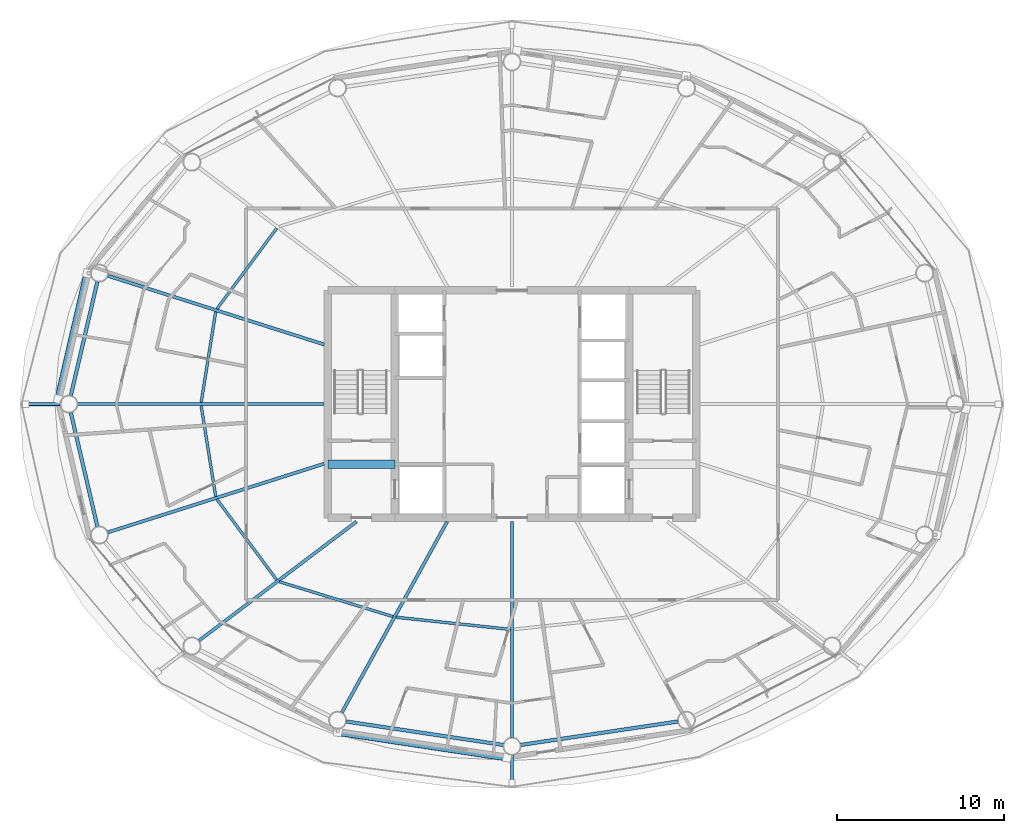
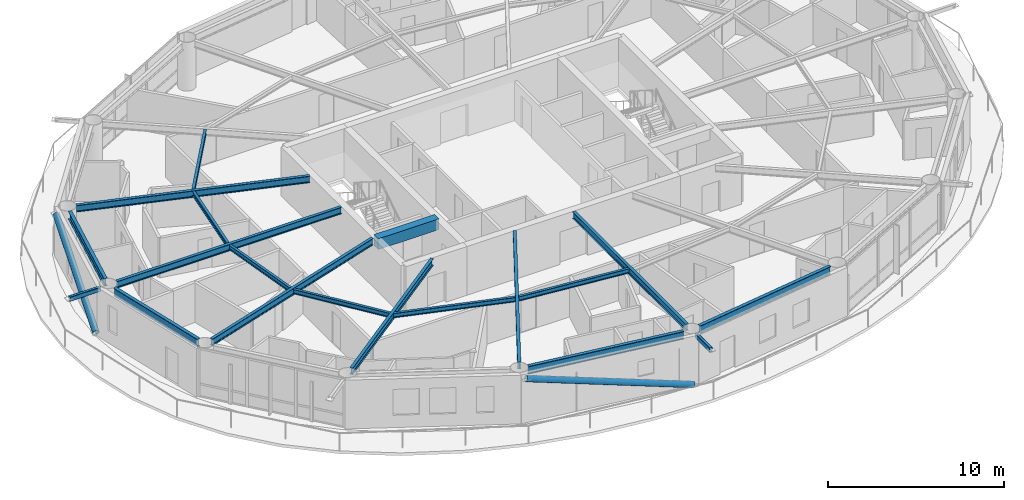
# One storey, part 4 of 29: 17 beams, 4 members.
"""IFC4 building model written with IfcOpenShell, lengths in metres."""

from ifc_helpers import new_model, si_unit, direction, frame, origin, origin_2d, place, context, subcontext, project, spatial, rectangle, hollow_rectangle, hollow_circle, i_section, extrude, material, material_profile, profile_set, type_object, element, save


model = new_model("IFC4")

# Units and contexts
model_context = context("Model", 3, precision=1e-05, world=origin(), true_north=direction((0.0, 1.0)))
body_context = subcontext(model_context, "Body", "Model", "MODEL_VIEW")
ifc_project = project(units=[si_unit("LENGTHUNIT", "METRE"), si_unit("AREAUNIT", "SQUARE_METRE"), si_unit("VOLUMEUNIT", "CUBIC_METRE"), si_unit("PLANEANGLEUNIT", "RADIAN"), si_unit("MASSUNIT", "GRAM", prefix="KILO")], contexts=[model_context])

# Site, building, storey
site_placement = place(None, origin())
site = spatial("IfcSite", under=ifc_project, at=site_placement, CompositionType="ELEMENT")
building_placement = place(site_placement, origin())
building = spatial("IfcBuilding", under=site, at=building_placement, Name="Sarneth Arch Tower", CompositionType="ELEMENT")
storey_placement = place(building_placement, frame((0.0, 0.0, 165.0)))
storey = spatial("IfcBuildingStorey", under=building, at=storey_placement, Name="L41", CompositionType="ELEMENT", Elevation=165.0)

# Beams
ifc_material_1 = material(Name="Steel S355", Category="steel")
ifc_material_profile_1 = material_profile(ifc_material_1, i_section(OverallWidth=0.1669921875, OverallDepth=0.31689453125, WebThickness=0.007568359375, FlangeThickness=0.01318359375, FilletRadius=0.012939453125, at=origin_2d()), Name="W310x52")
ifc_profile_set_1 = profile_set([ifc_material_profile_1], Name="Steel S355")
beam_type_1 = type_object("IfcBeamType", Name="BM-JOIST-310B", PredefinedType="JOIST", material=ifc_profile_set_1)
beam_1_placement = place(storey_placement, frame((33.937255859375, 52.5068359375, 3.221435546875), z_axis=(-0.595933334016, -0.803033910497, 0.0), x_axis=(0.803033910497, -0.595933334016, 0.0)))
element("IfcBeam", 1, at=beam_1_placement, inside=storey, type_object=beam_type_1, Name="L41 Secondary floor joist 07", PredefinedType="JOIST", context=body_context, shape_type="SweptSolid", body=[
    extrude(i_section(OverallWidth=0.1669921875, OverallDepth=0.31689453125, WebThickness=0.007568359375, FlangeThickness=0.01318359375, FilletRadius=0.012939453125, at=origin_2d()), origin(), (0.0, 0.0, 1.0), 5.99560546875),
])
for number, where, z_axis, x_axis, name in (
    (2, (30.291259765625, 47.519287109375, 3.221435546875), (-0.158262632389, -0.987397052451, 0.0), (0.987397052451, -0.158262632389, 0.0), "L41 Secondary floor joist 08"),
    (3, (29.421875, 41.90478515625, 3.221435546875), (0.158262632389, -0.987397052451, 0.0), (0.987397052451, 0.158262632389, 0.0), "L41 Secondary floor joist 09"),
):
    element("IfcBeam", number, at=place(storey_placement, frame(where, z_axis=z_axis, x_axis=x_axis)), inside=storey, type_object=beam_type_1, Name=name, PredefinedType="JOIST", context=body_context, shape_type="SweptSolid", body=[
        extrude(i_section(OverallWidth=0.1669921875, OverallDepth=0.31689453125, WebThickness=0.007568359375, FlangeThickness=0.01318359375, FilletRadius=0.012939453125, at=origin_2d()), origin(), (0.0, 0.0, 1.0), 5.493408203125),
    ])
beam_2_placement = place(storey_placement, frame((30.3642578125, 36.307861328125, 3.221435546875), z_axis=(0.595933334016, -0.803033910497, 0.0), x_axis=(0.803033910497, 0.595933334016, 0.0)))
element("IfcBeam", 4, at=beam_2_placement, inside=storey, type_object=beam_type_1, Name="L41 Secondary floor joist 10", PredefinedType="JOIST", context=body_context, shape_type="SweptSolid", body=[
    extrude(i_section(OverallWidth=0.1669921875, OverallDepth=0.31689453125, WebThickness=0.007568359375, FlangeThickness=0.01318359375, FilletRadius=0.012939453125, at=origin_2d()), origin(), (0.0, 0.0, 1.0), 5.99560546875),
])
beam_3_placement = place(storey_placement, frame((34.087158203125, 31.38720703125, 3.221435546875), z_axis=(0.955929549608, -0.293596144707, 0.0), x_axis=(0.293596144707, 0.955929549608, 0.0)))
element("IfcBeam", 5, at=beam_3_placement, inside=storey, type_object=beam_type_1, Name="L41 Secondary floor joist 11", PredefinedType="JOIST", context=body_context, shape_type="SweptSolid", body=[
    extrude(i_section(OverallWidth=0.1669921875, OverallDepth=0.31689453125, WebThickness=0.007568359375, FlangeThickness=0.01318359375, FilletRadius=0.012939453125, at=origin_2d()), origin(), (0.0, 0.0, 1.0), 7.1123046875),
])
beam_4_placement = place(storey_placement, frame((41.07421875, 29.260498046875, 3.221435546875), z_axis=(0.994407831942, -0.105608066799, 0.0), x_axis=(0.105608066799, 0.994407831942, 0.0)))
element("IfcBeam", 6, at=beam_4_placement, inside=storey, type_object=beam_type_1, Name="L41 Secondary floor joist 12", PredefinedType="JOIST", context=body_context, shape_type="SweptSolid", body=[
    extrude(i_section(OverallWidth=0.1669921875, OverallDepth=0.31689453125, WebThickness=0.007568359375, FlangeThickness=0.01318359375, FilletRadius=0.012939453125, at=origin_2d()), origin(), (0.0, 0.0, 1.0), 6.8681640625),
])
ifc_material_2 = material(Name="Concrete C50/60", Category="concrete")
ifc_material_profile_2 = material_profile(ifc_material_2, rectangle(XDim=0.5, YDim=0.75, at=origin_2d()), Name="RC-500x750")
ifc_profile_set_2 = profile_set([ifc_material_profile_2], Name="Concrete C50/60")
beam_type_2 = type_object("IfcBeamType", Name="BM-LINTEL-RC", PredefinedType="LINTEL", material=ifc_profile_set_2)
beam_5_placement = place(storey_placement, frame((37.0, 38.39990234375, 3.0048828125), z_axis=(1.0, 0.0, 0.0), x_axis=(0.0, 1.0, 0.0)))
element("IfcBeam", 7, at=beam_5_placement, inside=storey, type_object=beam_type_2, Name="L41 Core coupling lintel W", PredefinedType="LINTEL", context=body_context, shape_type="SweptSolid", body=[
    extrude(rectangle(XDim=0.5, YDim=0.75, at=origin_2d()), origin(), (0.0, 0.0, 1.0), 4.0),
])
ifc_material_3 = material(Name="Steel S355", Category="steel")
ifc_material_profile_3 = material_profile(ifc_material_3, i_section(OverallWidth=0.193115234375, OverallDepth=0.466064453125, WebThickness=0.011474609375, FlangeThickness=0.01904296875, FilletRadius=0.01806640625, at=origin_2d()), Name="W460x97")
ifc_profile_set_3 = profile_set([ifc_material_profile_3], Name="Steel S355")
beam_type_3 = type_object("IfcBeamType", Name="BM-RAD-460C", PredefinedType="BEAM", material=ifc_profile_set_3)
beam_6_placement = place(storey_placement, frame((36.77490234375, 45.56201171875, 3.14697265625), z_axis=(-0.953163620049, 0.302455142815, 0.0), x_axis=(-0.302455142815, -0.953163620049, 0.0)))
element("IfcBeam", 8, at=beam_6_placement, inside=storey, type_object=beam_type_3, Name="L41 Radial floor girder 08", PredefinedType="BEAM", context=body_context, shape_type="SweptSolid", body=[
    extrude(i_section(OverallWidth=0.193115234375, OverallDepth=0.466064453125, WebThickness=0.011474609375, FlangeThickness=0.01904296875, FilletRadius=0.01806640625, at=origin_2d()), origin(), (0.0, 0.0, 1.0), 13.572265625),
])
beam_7_placement = place(storey_placement, frame((36.77490234375, 42.0, 3.14697265625), z_axis=(-1.0, 0.0, 0.0), x_axis=(0.0, -1.0, 0.0)))
element("IfcBeam", 9, at=beam_7_placement, inside=storey, type_object=beam_type_3, Name="L41 Radial floor girder 09", PredefinedType="BEAM", context=body_context, shape_type="SweptSolid", body=[
    extrude(i_section(OverallWidth=0.193115234375, OverallDepth=0.466064453125, WebThickness=0.011474609375, FlangeThickness=0.01904296875, FilletRadius=0.01806640625, at=origin_2d()), origin(), (0.0, 0.0, 1.0), 14.73681640625),
])
beam_8_placement = place(storey_placement, frame((36.77490234375, 38.43798828125, 3.14697265625), z_axis=(-0.953163620049, -0.302455142815, 0.0), x_axis=(0.302455142815, -0.953163620049, 0.0)))
element("IfcBeam", 10, at=beam_8_placement, inside=storey, type_object=beam_type_3, Name="L41 Radial floor girder 10", PredefinedType="BEAM", context=body_context, shape_type="SweptSolid", body=[
    extrude(i_section(OverallWidth=0.193115234375, OverallDepth=0.466064453125, WebThickness=0.011474609375, FlangeThickness=0.01904296875, FilletRadius=0.01806640625, at=origin_2d()), origin(), (0.0, 0.0, 1.0), 13.572265625),
])
beam_9_placement = place(storey_placement, frame((38.70458984375, 34.97509765625, 3.14697265625), z_axis=(-0.797786205076, -0.602940437349, 0.0), x_axis=(0.602940437349, -0.797786205076, 0.0)))
element("IfcBeam", 11, at=beam_9_placement, inside=storey, type_object=beam_type_3, Name="L41 Radial floor girder 11", PredefinedType="BEAM", context=body_context, shape_type="SweptSolid", body=[
    extrude(i_section(OverallWidth=0.193115234375, OverallDepth=0.466064453125, WebThickness=0.011474609375, FlangeThickness=0.01904296875, FilletRadius=0.01806640625, at=origin_2d()), origin(), (0.0, 0.0, 1.0), 11.806884765625),
])
beam_10_placement = place(storey_placement, frame((44.125, 34.97509765625, 3.14697265625), z_axis=(-0.483004525121, -0.87561785541, 0.0), x_axis=(0.87561785541, -0.483004525121, 0.0)))
element("IfcBeam", 12, at=beam_10_placement, inside=storey, type_object=beam_type_3, Name="L41 Radial floor girder 12", PredefinedType="BEAM", context=body_context, shape_type="SweptSolid", body=[
    extrude(i_section(OverallWidth=0.193115234375, OverallDepth=0.466064453125, WebThickness=0.011474609375, FlangeThickness=0.01904296875, FilletRadius=0.01806640625, at=origin_2d()), origin(), (0.0, 0.0, 1.0), 13.029296875),
])
beam_11_placement = place(storey_placement, frame((48.0, 34.97509765625, 3.14697265625), z_axis=(0.0, -1.0, 0.0), x_axis=(1.0, 0.0, 0.0)))
element("IfcBeam", 13, at=beam_11_placement, inside=storey, type_object=beam_type_3, Name="L41 Radial floor girder 13", PredefinedType="BEAM", context=body_context, shape_type="SweptSolid", body=[
    extrude(i_section(OverallWidth=0.193115234375, OverallDepth=0.466064453125, WebThickness=0.011474609375, FlangeThickness=0.01904296875, FilletRadius=0.01806640625, at=origin_2d()), origin(), (0.0, 0.0, 1.0), 12.900146484375),
])
ifc_material_4 = material(Name="Steel S355", Category="steel")
ifc_material_profile_4 = material_profile(ifc_material_4, i_section(OverallWidth=0.214111328125, OverallDepth=0.549072265625, WebThickness=0.0146484375, FlangeThickness=0.023681640625, FilletRadius=0.01806640625, at=origin_2d()), Name="W530x138")
ifc_profile_set_4 = profile_set([ifc_material_profile_4], Name="Steel S355")
beam_type_4 = type_object("IfcBeamType", Name="BM-RAD-530A", PredefinedType="BEAM", material=ifc_profile_set_4)
for number, where, z_axis, x_axis, name in (
    (14, (23.21875, 49.314697265625, 3.10546875), (-0.22708709918, -0.973874452579, 0.0), (0.973874452579, -0.22708709918, 0.0), "L41 Perimeter spandrel beam 08"),
    (15, (21.63232421875, 41.48876953125, 3.10546875), (0.22708709918, -0.973874452579, 0.0), (0.973874452579, 0.22708709918, 0.0), "L41 Perimeter spandrel beam 09"),
):
    element("IfcBeam", number, at=place(storey_placement, frame(where, z_axis=z_axis, x_axis=x_axis)), inside=storey, type_object=beam_type_4, Name=name, PredefinedType="BEAM", context=body_context, shape_type="SweptSolid", body=[
        extrude(i_section(OverallWidth=0.214111328125, OverallDepth=0.549072265625, WebThickness=0.0146484375, FlangeThickness=0.023681640625, FilletRadius=0.01806640625, at=origin_2d()), origin(), (0.0, 0.0, 1.0), 6.986083984375),
    ])
for number, where, z_axis, x_axis, name in (
    (16, (38.097412109375, 23.029052734375, 3.10546875), (0.989027145133, -0.14773390332, 0.0), (0.14773390332, 0.989027145133, 0.0), "L41 Perimeter spandrel beam 12"),
    (17, (48.519287109375, 21.62744140625, 3.10546875), (0.989027145133, 0.14773390332, 0.0), (-0.14773390332, 0.989027145133, 0.0), "L41 Perimeter spandrel beam 13"),
):
    element("IfcBeam", number, at=place(storey_placement, frame(where, z_axis=z_axis, x_axis=x_axis)), inside=storey, type_object=beam_type_4, Name=name, PredefinedType="BEAM", context=body_context, shape_type="SweptSolid", body=[
        extrude(i_section(OverallWidth=0.214111328125, OverallDepth=0.549072265625, WebThickness=0.0146484375, FlangeThickness=0.023681640625, FilletRadius=0.01806640625, at=origin_2d()), origin(), (0.0, 0.0, 1.0), 9.4873046875),
    ])

# Members
ifc_material_5 = material(Name="Steel S355", Category="steel")
ifc_material_profile_5 = material_profile(ifc_material_5, hollow_rectangle(XDim=0.199951171875, YDim=0.300048828125, WallThickness=0.012451171875, InnerFilletRadius=0.018798828125, OuterFilletRadius=0.03125, at=origin_2d()), Name="RHS300x200x12.5")
ifc_profile_set_5 = profile_set([ifc_material_profile_5], Name="Steel S355")
member_type_1 = type_object("IfcMemberType", Name="MEM-CANT-STRUT", PredefinedType="STRUT", material=ifc_profile_set_5)
member_1_placement = place(storey_placement, frame((20.988037109375, 42.0, 3.219970703125), z_axis=(-1.0, 0.0, 0.0), x_axis=(0.0, -1.0, 0.0)))
element("IfcMember", 18, at=member_1_placement, inside=storey, type_object=member_type_1, Name="L41 Balcony cantilever bracket 09", PredefinedType="STRUT", context=body_context, shape_type="SweptSolid", body=[
    extrude(hollow_rectangle(XDim=0.199951171875, YDim=0.300048828125, WallThickness=0.012451171875, InnerFilletRadius=0.018798828125, OuterFilletRadius=0.03125, at=origin_2d()), origin(), (0.0, 0.0, 1.0), 2.041015625),
])
member_2_placement = place(storey_placement, frame((48.0, 21.02490234375, 3.219970703125), z_axis=(0.0, -1.0, 0.0), x_axis=(1.0, 0.0, 0.0)))
element("IfcMember", 19, at=member_2_placement, inside=storey, type_object=member_type_1, Name="L41 Balcony cantilever bracket 13", PredefinedType="STRUT", context=body_context, shape_type="SweptSolid", body=[
    extrude(hollow_rectangle(XDim=0.199951171875, YDim=0.300048828125, WallThickness=0.012451171875, InnerFilletRadius=0.018798828125, OuterFilletRadius=0.03125, at=origin_2d()), origin(), (0.0, 0.0, 1.0), 1.658935546875),
])
ifc_material_6 = material(Name="Steel S355", Category="steel")
ifc_material_profile_6 = material_profile(ifc_material_6, hollow_circle(Radius=0.202880859375, WallThickness=0.01611328125, at=origin_2d()), Name="CHS406x16")
ifc_profile_set_6 = profile_set([ifc_material_profile_6], Name="Steel S355")
member_type_2 = type_object("IfcMemberType", Name="MEM-DIAG-BR2", PredefinedType="BRACE", material=ifc_profile_set_6)
member_3_placement = place(storey_placement, frame((20.87109375, 42.292236328125, 0.02001953125), z_axis=(0.209646277215, 0.90691666474, 0.365445757488), x_axis=(-0.974306903917, 0.225224459107, 0.0)))
element("IfcMember", 20, at=member_3_placement, inside=storey, type_object=member_type_2, Name="L41 Perimeter frame diagonal 08", PredefinedType="BRACE", context=body_context, shape_type="SweptSolid", body=[
    extrude(hollow_circle(Radius=0.202880859375, WallThickness=0.01611328125, at=origin_2d()), origin(), (0.0, 0.0, 1.0), 8.292724609375),
])
member_4_placement = place(storey_placement, frame((47.703369140625, 20.86474609375, 0.02001953125), z_axis=(-0.948052912183, 0.142822782379, 0.284248708942), x_axis=(-0.148967610144, -0.988842075929, 0.0)))
element("IfcMember", 21, at=member_4_placement, inside=storey, type_object=member_type_2, Name="L41 Perimeter frame diagonal 12", PredefinedType="BRACE", context=body_context, shape_type="SweptSolid", body=[
    extrude(hollow_circle(Radius=0.202880859375, WallThickness=0.01611328125, at=origin_2d()), origin(), (0.0, 0.0, 1.0), 10.66162109375),
])

save(model, "model.ifc")
